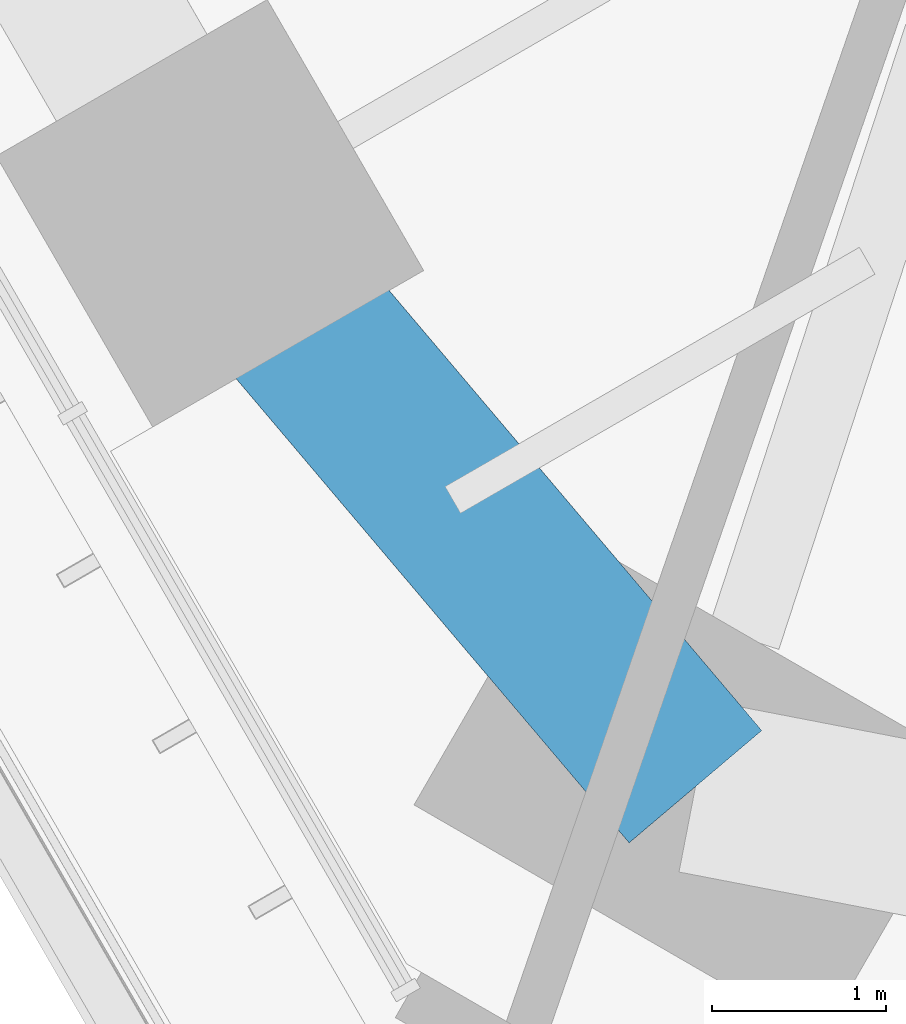
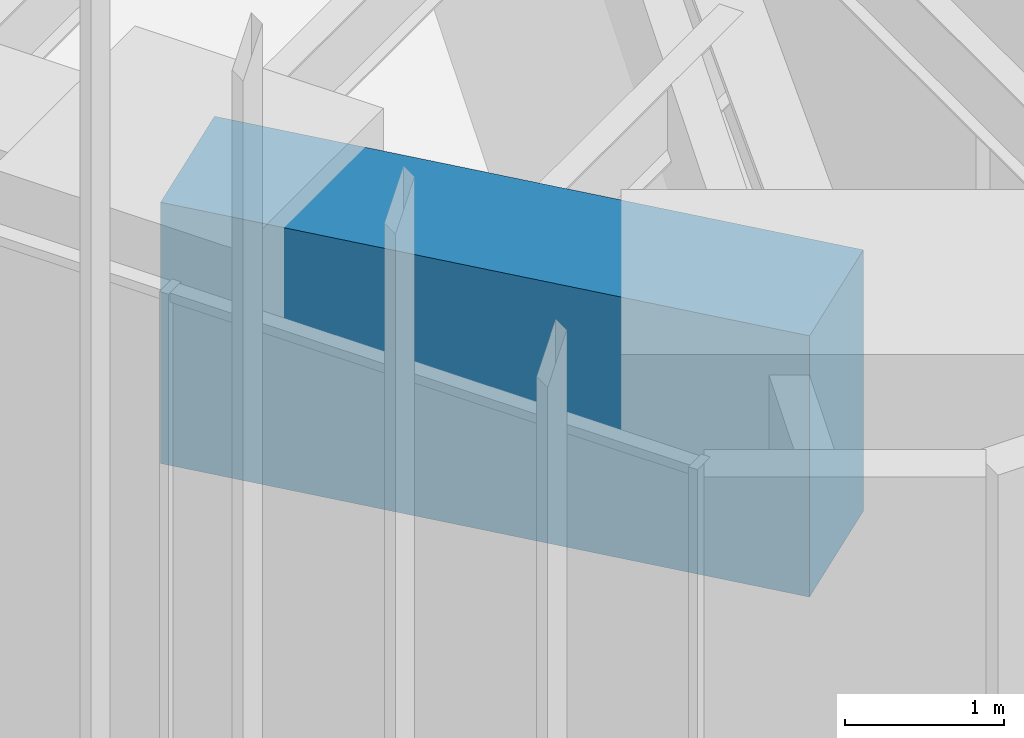
# One storey, part 23 of 228: 1 beam.
"""IFC4 building model written with IfcOpenShell, lengths in metres."""

from ifc_helpers import new_model, si_unit, direction, frame, origin, origin_2d, place, context, subcontext, project, spatial, rectangle, extrude, material, material_profile, profile_set, type_object, element, save


model = new_model("IFC4")

# Units and contexts
model_context = context("Model", 3, precision=1e-05, world=origin(), true_north=direction((0.0, 1.0)))
body_context = subcontext(model_context, "Body", "Model", "MODEL_VIEW")
ifc_project = project(units=[si_unit("LENGTHUNIT", "METRE"), si_unit("AREAUNIT", "SQUARE_METRE"), si_unit("VOLUMEUNIT", "CUBIC_METRE"), si_unit("PLANEANGLEUNIT", "RADIAN"), si_unit("MASSUNIT", "GRAM", prefix="KILO")], contexts=[model_context])

# Site, building, storey
site_placement = place(None, origin())
site = spatial("IfcSite", under=ifc_project, at=site_placement, CompositionType="ELEMENT")
building_placement = place(site_placement, origin())
building = spatial("IfcBuilding", under=site, at=building_placement, Name="Sandreach Pilgrim Tower", CompositionType="ELEMENT")
storey_placement = place(building_placement, frame((0.0, 0.0, 178.199951171875)))
storey = spatial("IfcBuildingStorey", under=building, at=storey_placement, Name="L44", CompositionType="ELEMENT", Elevation=178.199951171875)

# Beam
ifc_material = material(Name="Concrete 10000 psi", Category="concrete")
ifc_material_profile = material_profile(ifc_material, rectangle(XDim=1.0, YDim=2.0, at=origin_2d()), Name="RC1000X2000")
ifc_profile_set = profile_set([ifc_material_profile], Name="Concrete 10000 psi")
beam_type = type_object("IfcBeamType", Name="Spandrel beam RC1000X2000", PredefinedType="SPANDREL", material=ifc_profile_set)
beam_placement = place(storey_placement, frame((-7.978515625, -24.44189453125, 3.840087890625), z_axis=(-0.646180160755, 0.76318490541, 0.0), x_axis=(-0.76318490541, -0.646180160755, 0.0)))
element("IfcBeam", 1, at=beam_placement, inside=storey, type_object=beam_type, Name="BM L44 SP26", PredefinedType="SPANDREL", context=body_context, shape_type="SweptSolid", body=[
    extrude(rectangle(XDim=1.0, YDim=2.0, at=origin_2d()), origin(), (0.0, 0.0, 1.0), 4.323486328125),
])

save(model, "model.ifc")
